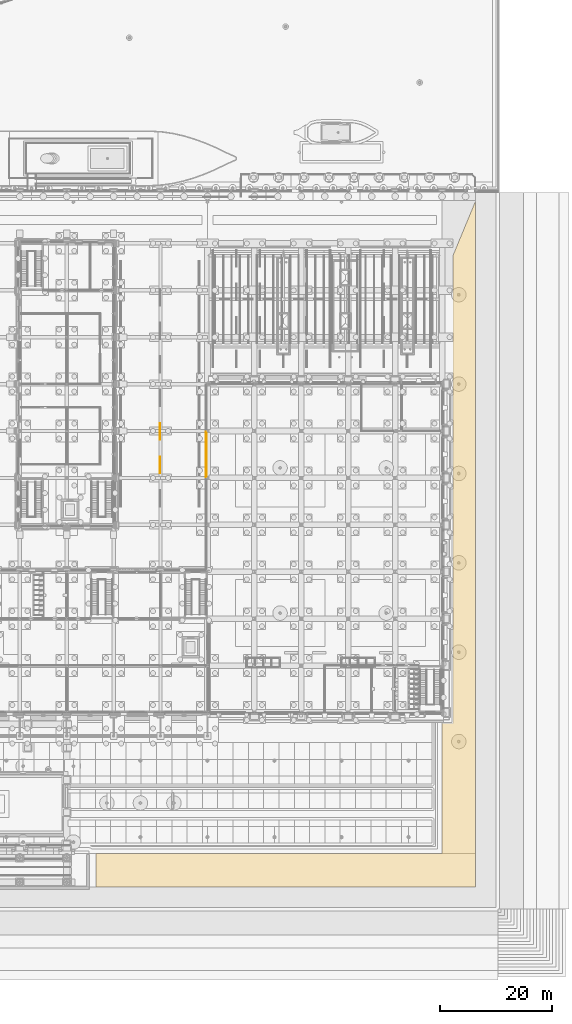
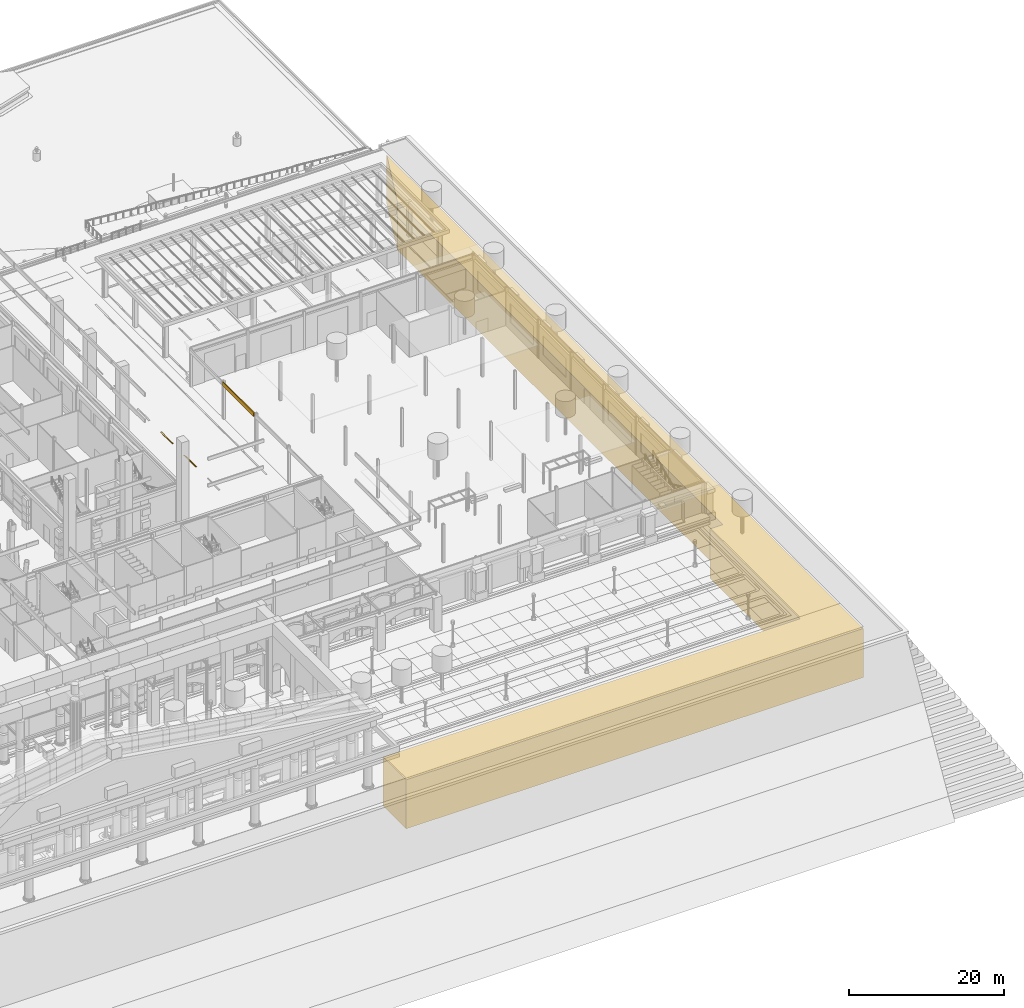
# One storey, part 166 of 222: 4 coverings.
"""IFC4 building model written with IfcOpenShell, lengths in metres."""

from ifc_helpers import new_model, si_unit, direction, frame, origin, place, context, subcontext, project, spatial, polyline, outline, extrude, material, layer, layer_set, type_object, element, save


model = new_model("IFC4")

# Units and contexts
model_context = context("Model", 3, precision=1e-05, world=origin(), true_north=direction((0.0, 1.0)))
body_context = subcontext(model_context, "Body", "Model", "MODEL_VIEW")
ifc_project = project(units=[si_unit("LENGTHUNIT", "METRE"), si_unit("AREAUNIT", "SQUARE_METRE"), si_unit("VOLUMEUNIT", "CUBIC_METRE"), si_unit("PLANEANGLEUNIT", "RADIAN"), si_unit("MASSUNIT", "GRAM", prefix="KILO")], contexts=[model_context])

# Site, building, storey
site_placement = place(None, origin())
site = spatial("IfcSite", under=ifc_project, at=site_placement, CompositionType="ELEMENT")
building_placement = place(site_placement, origin())
building = spatial("IfcBuilding", under=site, at=building_placement, Name="Sava Quay Ferry Terminal", CompositionType="ELEMENT")
storey_placement = place(building_placement, origin())
storey = spatial("IfcBuildingStorey", under=building, at=storey_placement, Name="L00", CompositionType="ELEMENT", Elevation=0.0)

# Coverings
ifc_material_1 = material(Name="Compacted gravel fill")
ifc_layer_1 = layer(ifc_material_1, 7.97998046875)
ifc_layer_set_1 = layer_set([ifc_layer_1], Name="Compacted gravel fill")
covering_type_1 = type_object("IfcCoveringType", Name="Made ground at quay level", PredefinedType="CLADDING", material=ifc_layer_set_1)
covering_1_placement = place(storey_placement, frame((0.0, 0.0, -8.0)))
element("IfcCovering", 1, at=covering_1_placement, inside=storey, type_object=covering_type_1, Name="Made ground at quay level", PredefinedType="CLADDING", context=body_context, shape_type="SweptSolid", body=[
    extrude(outline(polyline([(174.0, 116.77197265625), (169.97998046875, 107.06591796875), (169.97998046875, 23.219970703125), (168.030029296875, 23.219970703125), (168.030029296875, -0.030029296875), (106.030029296875, -0.030029296875), (106.030029296875, -6.0), (174.0, -6.0), (174.0, 116.77197265625)])), origin(), (0.0, 0.0, 1.0), 7.699951171875),
])
ifc_material_2 = material(Name="Road marking paint")
ifc_layer_2 = layer(ifc_material_2, 0.02001953125)
ifc_layer_set_2 = layer_set([ifc_layer_2], Name="Road marking paint")
covering_type_2 = type_object("IfcCoveringType", Name="Road marking line 150", PredefinedType="FLOORING", material=ifc_layer_set_2)
covering_2_placement = place(storey_placement, origin())
element("IfcCovering", 2, at=covering_2_placement, inside=storey, type_object=covering_type_2, Name="Road marking line", PredefinedType="FLOORING", context=body_context, shape_type="SweptSolid", body=[
    extrude(outline(polyline([(117.574951171875, 68.0), (117.574951171875, 71.0), (117.425048828125, 71.0), (117.425048828125, 68.0), (117.574951171875, 68.0)])), origin(), (0.0, 0.0, 1.0), 0.02001953125),
])
covering_3_placement = place(storey_placement, origin())
element("IfcCovering", 3, at=covering_3_placement, inside=storey, type_object=covering_type_2, Name="Road marking line", PredefinedType="FLOORING", context=body_context, shape_type="SweptSolid", body=[
    extrude(outline(polyline([(117.574951171875, 74.0), (117.574951171875, 77.0), (117.425048828125, 77.0), (117.425048828125, 74.0), (117.574951171875, 74.0)])), origin(), (0.0, 0.0, 1.0), 0.02001953125),
])
ifc_material_3 = material(Name="Limestone Mutalj", Category="masonry")
ifc_layer_3 = layer(ifc_material_3, 0.14990234375)
ifc_layer_set_3 = layer_set([ifc_layer_3], Name="Limestone Mutalj")
covering_type_3 = type_object("IfcCoveringType", Name="Slab edge fascia 150", PredefinedType="CLADDING", material=ifc_layer_set_3)
covering_4_placement = place(storey_placement, frame((0.0, 0.0, 5.39990234375)))
element("IfcCovering", 4, at=covering_4_placement, inside=storey, type_object=covering_type_3, Name="Slab edge fascia", PredefinedType="CLADDING", context=body_context, shape_type="SweptSolid", body=[
    extrude(outline(polyline([(125.701904296875, 67.360107421875), (125.85205078125, 67.360107421875), (125.85205078125, 75.43994140625), (125.701904296875, 75.43994140625), (125.701904296875, 67.360107421875)])), origin(), (0.0, 0.0, 1.0), 0.60009765625),
])

save(model, "model.ifc")
